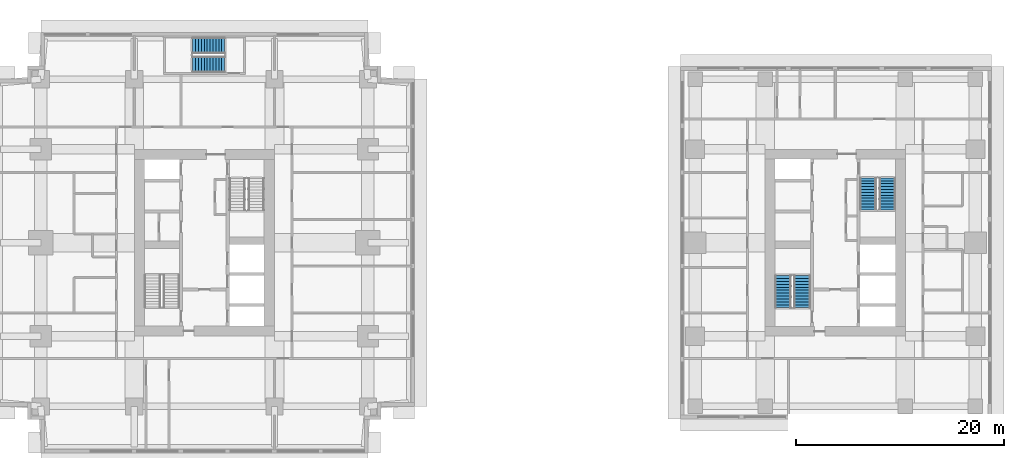
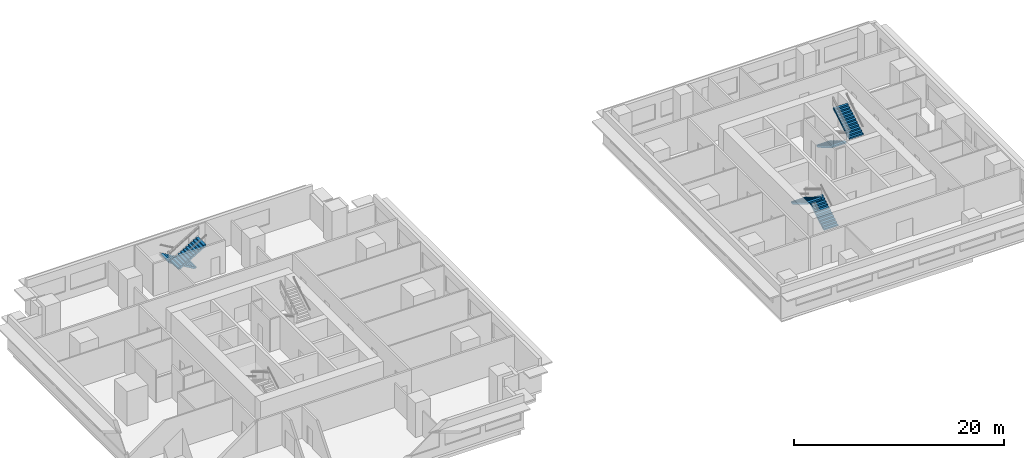
# One storey, part 9 of 11: 6 stair flights, 3 elements without a shape of their own.
"""IFC4 building model written with IfcOpenShell, lengths in metres."""

from ifc_helpers import new_model, si_unit, direction, frame, origin, place, context, subcontext, project, spatial, polyline, outline, extrude, material, type_object, element, aggregate, save


model = new_model("IFC4")

# Units and contexts
model_context = context("Model", 3, precision=1e-05, world=origin(), true_north=direction((0.0, 1.0)))
body_context = subcontext(model_context, "Body", "Model", "MODEL_VIEW")
ifc_project = project(units=[si_unit("LENGTHUNIT", "METRE"), si_unit("AREAUNIT", "SQUARE_METRE"), si_unit("VOLUMEUNIT", "CUBIC_METRE"), si_unit("PLANEANGLEUNIT", "RADIAN"), si_unit("MASSUNIT", "GRAM", prefix="KILO")], contexts=[model_context])

# Site, building, storey
site_placement = place(None, origin())
site = spatial("IfcSite", under=ifc_project, at=site_placement, CompositionType="ELEMENT")
building_placement = place(site_placement, origin())
building = spatial("IfcBuilding", under=site, at=building_placement, Name="Namib Vertical Campus", CompositionType="ELEMENT")
storey_placement = place(building_placement, frame((0.0, 0.0, 185.0)))
storey = spatial("IfcBuildingStorey", under=building, at=storey_placement, Name="L43", CompositionType="ELEMENT", Elevation=185.0)

# Stair, stair flights
ifc_material_1 = material(Name="Concrete C40/50 precast", Category="concrete")
stair_type_1 = type_object("IfcStairType", Name="Exit stair 4000 rise 24 risers 3350 wide", PredefinedType="HALF_TURN_STAIR", material=ifc_material_1)
stair_1_placement = place(storey_placement, origin())
stair_1 = element("IfcStair", 1, at=stair_1_placement, inside=storey, type_object=stair_type_1, Name="Exit stair A-S3 L43", PredefinedType="HALF_TURN_STAIR")
ifc_material_2 = material(Name="Concrete C40/50 precast", Category="concrete")
stair_flight_type_1 = type_object("IfcStairFlightType", Name="Stair flight 12 risers 167 1525 wide", PredefinedType="STRAIGHT", material=ifc_material_2)
stair_flight_1_placement = place(storey_placement, frame((22.199951171875, 39.237548828125, 0.0), z_axis=(0.0, 0.0, 1.0), x_axis=(-1.0, 0.0, 0.0)))
stair_flight_1 = element("IfcStairFlight", 2, at=stair_flight_1_placement, type_object=stair_flight_type_1, Name="A-S3 flight 1", NumberOfRisers=12, NumberOfTreads=11, PredefinedType="STRAIGHT", RiserHeight=0.166666667, TreadLength=0.28, context=body_context, shape_type="SweptSolid", body=[
    extrude(outline(polyline([(0.0, 0.0), (0.0, 0.166748046875), (0.280029296875, 0.166748046875), (0.280029296875, 0.333251953125), (0.56005859375, 0.333251953125), (0.56005859375, 0.5), (0.840087890625, 0.5), (0.840087890625, 0.666748046875), (1.1201171875, 0.666748046875), (1.1201171875, 0.833251953125), (1.39990234375, 0.833251953125), (1.39990234375, 1.0), (1.679931640625, 1.0), (1.679931640625, 1.166748046875), (1.9599609375, 1.166748046875), (1.9599609375, 1.333251953125), (2.239990234375, 1.333251953125), (2.239990234375, 1.5), (2.52001953125, 1.5), (2.52001953125, 1.666748046875), (2.800048828125, 1.666748046875), (2.800048828125, 1.833251953125), (3.080078125, 1.833251953125), (3.080078125, 2.0), (3.080078125, 1.658935546875), (0.29296875, 0.0), (0.0, 0.0)])), frame((0.0, 0.762451171875, 0.0), z_axis=(0.0, -1.0, 0.0), x_axis=(1.0, 0.0, 0.0)), (0.0, 0.0, 1.0), 1.52490234375),
])
stair_flight_2_placement = place(storey_placement, frame((19.1201171875, 37.41259765625, 2.0), z_axis=(0.0, 0.0, 1.0), x_axis=(1.0, 0.0, 0.0)))
stair_flight_2 = element("IfcStairFlight", 3, at=stair_flight_2_placement, type_object=stair_flight_type_1, Name="A-S3 flight 2", NumberOfRisers=12, NumberOfTreads=11, PredefinedType="STRAIGHT", RiserHeight=0.166666667, TreadLength=0.28, context=body_context, shape_type="SweptSolid", body=[
    extrude(outline(polyline([(0.0, 0.0), (0.0, 0.166748046875), (0.280029296875, 0.166748046875), (0.280029296875, 0.333251953125), (0.56005859375, 0.333251953125), (0.56005859375, 0.5), (0.840087890625, 0.5), (0.840087890625, 0.666748046875), (1.1201171875, 0.666748046875), (1.1201171875, 0.833251953125), (1.39990234375, 0.833251953125), (1.39990234375, 1.0), (1.679931640625, 1.0), (1.679931640625, 1.166748046875), (1.9599609375, 1.166748046875), (1.9599609375, 1.333251953125), (2.239990234375, 1.333251953125), (2.239990234375, 1.5), (2.52001953125, 1.5), (2.52001953125, 1.666748046875), (2.800048828125, 1.666748046875), (2.800048828125, 1.833251953125), (3.080078125, 1.833251953125), (3.080078125, 2.0), (3.080078125, 1.658935546875), (0.29296875, 0.0), (0.0, 0.0)])), frame((0.0, 0.762451171875, 0.0), z_axis=(0.0, -1.0, 0.0), x_axis=(1.0, 0.0, 0.0)), (0.0, 0.0, 1.0), 1.52490234375),
])
aggregate(stair_1, [stair_flight_1, stair_flight_2])

ifc_material_3 = material(Name="Concrete C40/50 precast", Category="concrete")
stair_type_2 = type_object("IfcStairType", Name="Exit stair 4000 rise 24 risers 3400 wide", PredefinedType="HALF_TURN_STAIR", material=ifc_material_3)
stair_2_placement = place(storey_placement, origin())
stair_2 = element("IfcStair", 4, at=stair_2_placement, inside=storey, type_object=stair_type_2, Name="Exit stair B-S1 L43", PredefinedType="HALF_TURN_STAIR")
ifc_material_4 = material(Name="Concrete C40/50 precast", Category="concrete")
stair_flight_type_2 = type_object("IfcStairFlightType", Name="Stair flight 12 risers 167 1550 wide", PredefinedType="STRAIGHT", material=ifc_material_4)
stair_flight_3_placement = place(storey_placement, frame((77.824951171875, 14.0, 0.0), z_axis=(0.0, 0.0, 1.0), x_axis=(0.0, 1.0, 0.0)))
stair_flight_3 = element("IfcStairFlight", 5, at=stair_flight_3_placement, type_object=stair_flight_type_2, Name="B-S1 flight 1", NumberOfRisers=12, NumberOfTreads=11, PredefinedType="STRAIGHT", RiserHeight=0.166666667, TreadLength=0.28, context=body_context, shape_type="SweptSolid", body=[
    extrude(outline(polyline([(0.0, 0.0), (0.0, 0.166748046875), (0.280029296875, 0.166748046875), (0.280029296875, 0.333251953125), (0.56005859375, 0.333251953125), (0.56005859375, 0.5), (0.840087890625, 0.5), (0.840087890625, 0.666748046875), (1.1201171875, 0.666748046875), (1.1201171875, 0.833251953125), (1.39990234375, 0.833251953125), (1.39990234375, 1.0), (1.679931640625, 1.0), (1.679931640625, 1.166748046875), (1.9599609375, 1.166748046875), (1.9599609375, 1.333251953125), (2.239990234375, 1.333251953125), (2.239990234375, 1.5), (2.52001953125, 1.5), (2.52001953125, 1.666748046875), (2.800048828125, 1.666748046875), (2.800048828125, 1.833251953125), (3.080078125, 1.833251953125), (3.080078125, 2.0), (3.080078125, 1.658935546875), (0.29296875, 0.0), (0.0, 0.0)])), frame((0.0, 0.77490234375, 0.0), z_axis=(0.0, -1.0, 0.0), x_axis=(1.0, 0.0, 0.0)), (0.0, 0.0, 1.0), 1.550048828125),
])
stair_flight_4_placement = place(storey_placement, frame((75.97509765625, 17.080078125, 2.0), z_axis=(0.0, 0.0, 1.0), x_axis=(0.0, -1.0, 0.0)))
stair_flight_4 = element("IfcStairFlight", 6, at=stair_flight_4_placement, type_object=stair_flight_type_2, Name="B-S1 flight 2", NumberOfRisers=12, NumberOfTreads=11, PredefinedType="STRAIGHT", RiserHeight=0.166666667, TreadLength=0.28, context=body_context, shape_type="SweptSolid", body=[
    extrude(outline(polyline([(0.0, 0.0), (0.0, 0.166748046875), (0.280029296875, 0.166748046875), (0.280029296875, 0.333251953125), (0.56005859375, 0.333251953125), (0.56005859375, 0.5), (0.840087890625, 0.5), (0.840087890625, 0.666748046875), (1.1201171875, 0.666748046875), (1.1201171875, 0.833251953125), (1.39990234375, 0.833251953125), (1.39990234375, 1.0), (1.679931640625, 1.0), (1.679931640625, 1.166748046875), (1.9599609375, 1.166748046875), (1.9599609375, 1.333251953125), (2.239990234375, 1.333251953125), (2.239990234375, 1.5), (2.52001953125, 1.5), (2.52001953125, 1.666748046875), (2.800048828125, 1.666748046875), (2.800048828125, 1.833251953125), (3.080078125, 1.833251953125), (3.080078125, 2.0), (3.080078125, 1.658935546875), (0.29296875, 0.0), (0.0, 0.0)])), frame((0.0, 0.77490234375, 0.0), z_axis=(0.0, -1.0, 0.0), x_axis=(1.0, 0.0, 0.0)), (0.0, 0.0, 1.0), 1.550048828125),
])
aggregate(stair_2, [stair_flight_3, stair_flight_4])

stair_3_placement = place(storey_placement, origin())
stair_3 = element("IfcStair", 7, at=stair_3_placement, inside=storey, type_object=stair_type_2, Name="Exit stair B-S2 L43", PredefinedType="HALF_TURN_STAIR")
stair_flight_5_placement = place(storey_placement, frame((84.175048828125, 26.5, 0.0), z_axis=(0.0, 0.0, 1.0), x_axis=(0.0, -1.0, 0.0)))
stair_flight_5 = element("IfcStairFlight", 8, at=stair_flight_5_placement, type_object=stair_flight_type_2, Name="B-S2 flight 1", NumberOfRisers=12, NumberOfTreads=11, PredefinedType="STRAIGHT", RiserHeight=0.166666667, TreadLength=0.28, context=body_context, shape_type="SweptSolid", body=[
    extrude(outline(polyline([(0.0, 0.0), (0.0, 0.166748046875), (0.280029296875, 0.166748046875), (0.280029296875, 0.333251953125), (0.56005859375, 0.333251953125), (0.56005859375, 0.5), (0.840087890625, 0.5), (0.840087890625, 0.666748046875), (1.1201171875, 0.666748046875), (1.1201171875, 0.833251953125), (1.39990234375, 0.833251953125), (1.39990234375, 1.0), (1.679931640625, 1.0), (1.679931640625, 1.166748046875), (1.9599609375, 1.166748046875), (1.9599609375, 1.333251953125), (2.239990234375, 1.333251953125), (2.239990234375, 1.5), (2.52001953125, 1.5), (2.52001953125, 1.666748046875), (2.800048828125, 1.666748046875), (2.800048828125, 1.833251953125), (3.080078125, 1.833251953125), (3.080078125, 2.0), (3.080078125, 1.658935546875), (0.29296875, 0.0), (0.0, 0.0)])), frame((0.0, 0.77490234375, 0.0), z_axis=(0.0, -1.0, 0.0), x_axis=(1.0, 0.0, 0.0)), (0.0, 0.0, 1.0), 1.550048828125),
])
stair_flight_6_placement = place(storey_placement, frame((86.02490234375, 23.419921875, 2.0), z_axis=(0.0, 0.0, 1.0), x_axis=(0.0, 1.0, 0.0)))
stair_flight_6 = element("IfcStairFlight", 9, at=stair_flight_6_placement, type_object=stair_flight_type_2, Name="B-S2 flight 2", NumberOfRisers=12, NumberOfTreads=11, PredefinedType="STRAIGHT", RiserHeight=0.166666667, TreadLength=0.28, context=body_context, shape_type="SweptSolid", body=[
    extrude(outline(polyline([(0.0, 0.0), (0.0, 0.166748046875), (0.280029296875, 0.166748046875), (0.280029296875, 0.333251953125), (0.56005859375, 0.333251953125), (0.56005859375, 0.5), (0.840087890625, 0.5), (0.840087890625, 0.666748046875), (1.1201171875, 0.666748046875), (1.1201171875, 0.833251953125), (1.39990234375, 0.833251953125), (1.39990234375, 1.0), (1.679931640625, 1.0), (1.679931640625, 1.166748046875), (1.9599609375, 1.166748046875), (1.9599609375, 1.333251953125), (2.239990234375, 1.333251953125), (2.239990234375, 1.5), (2.52001953125, 1.5), (2.52001953125, 1.666748046875), (2.800048828125, 1.666748046875), (2.800048828125, 1.833251953125), (3.080078125, 1.833251953125), (3.080078125, 2.0), (3.080078125, 1.658935546875), (0.29296875, 0.0), (0.0, 0.0)])), frame((0.0, 0.77490234375, 0.0), z_axis=(0.0, -1.0, 0.0), x_axis=(1.0, 0.0, 0.0)), (0.0, 0.0, 1.0), 1.550048828125),
])
aggregate(stair_3, [stair_flight_5, stair_flight_6])

save(model, "model.ifc")
